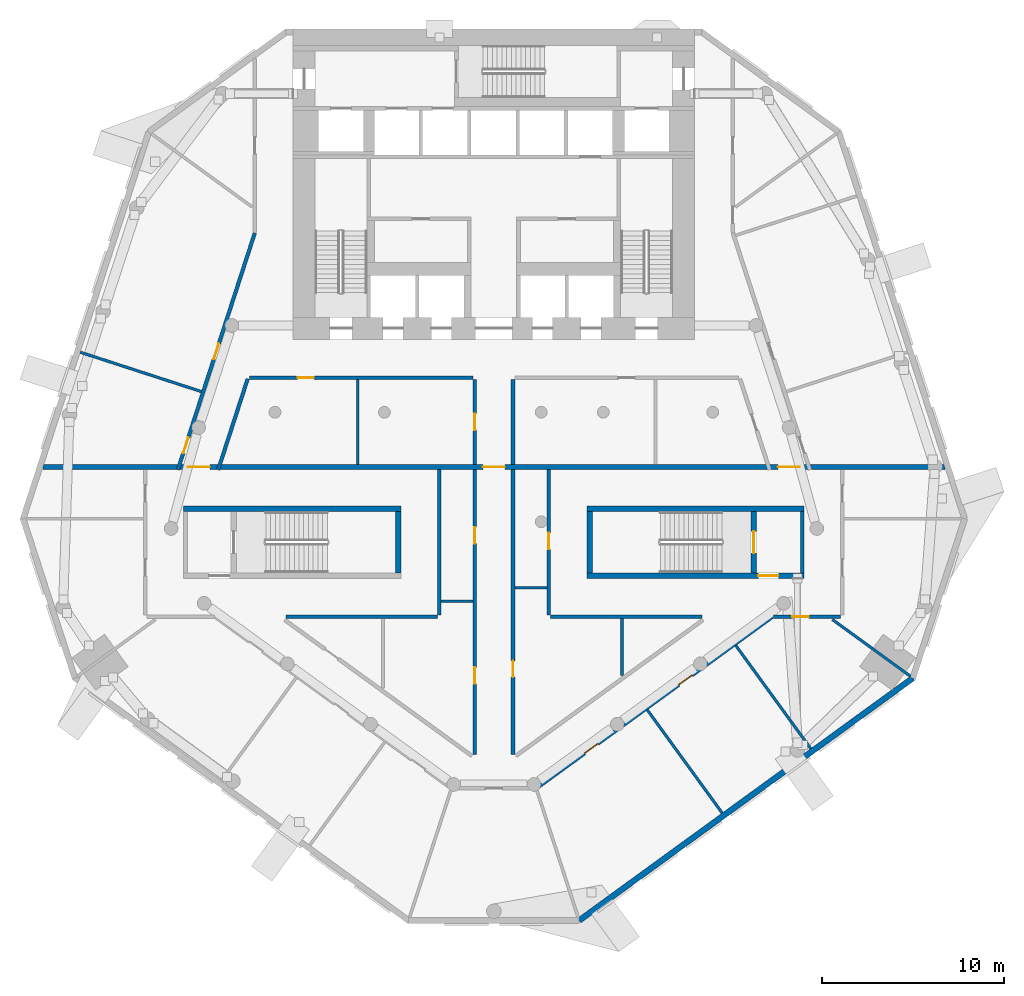
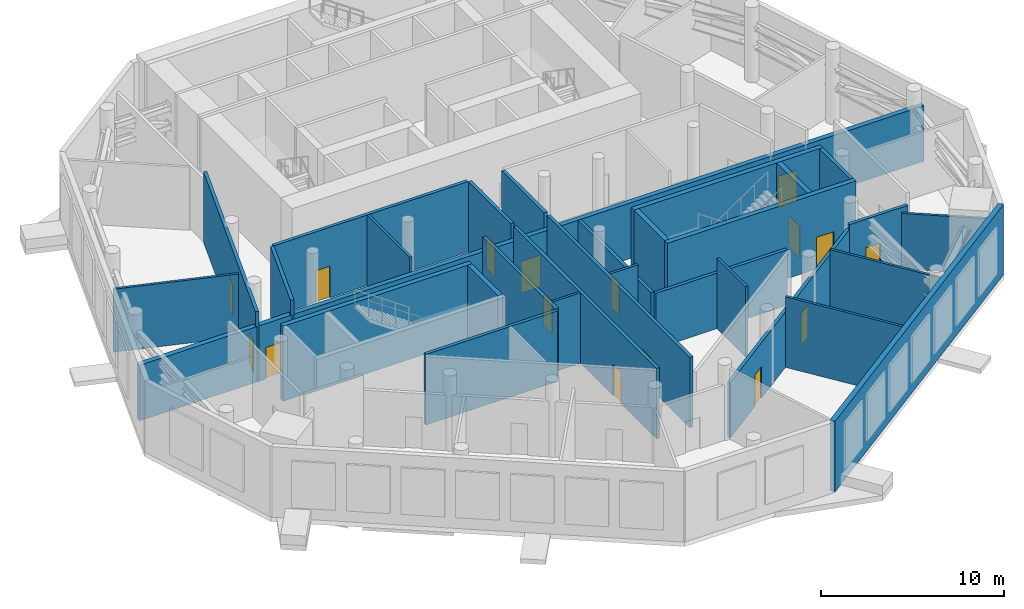
# One storey, part 7 of 15: 30 walls, 16 doors, 16 openings.
"""IFC4 building model written with IfcOpenShell, lengths in metres."""

from ifc_helpers import new_model, si_unit, direction, frame, frame_2d, origin, place, context, subcontext, project, spatial, rectangle, extrude, material, layer, layer_set, type_object, element, fill, save


model = new_model("IFC4")

# Units and contexts
model_context = context("Model", 3, precision=1e-05, world=origin(), true_north=direction((0.0, 1.0)))
body_context = subcontext(model_context, "Body", "Model", "MODEL_VIEW")
ifc_project = project(units=[si_unit("LENGTHUNIT", "METRE"), si_unit("AREAUNIT", "SQUARE_METRE"), si_unit("VOLUMEUNIT", "CUBIC_METRE"), si_unit("PLANEANGLEUNIT", "RADIAN"), si_unit("MASSUNIT", "GRAM", prefix="KILO")], contexts=[model_context])

# Site, building, storey
site_placement = place(None, origin())
site = spatial("IfcSite", under=ifc_project, at=site_placement, CompositionType="ELEMENT")
building_placement = place(site_placement, origin())
building = spatial("IfcBuilding", under=site, at=building_placement, Name="White Candle Pilgrim Tower", CompositionType="ELEMENT")
storey_placement = place(building_placement, frame((0.0, 0.0, 85.800048828125)))
storey = spatial("IfcBuildingStorey", under=building, at=storey_placement, Name="L18", CompositionType="ELEMENT", Elevation=85.800048828125)

# Wall
ifc_material_1 = material(Name="Concrete C70/85", Category="concrete")
ifc_layer_1 = layer(ifc_material_1, 0.199951171875)
ifc_layer_set_1 = layer_set([ifc_layer_1], Name="Core wall 200 mm Concrete C70/85")
wall_type_1 = type_object("IfcWallType", Name="Core wall 200 mm Concrete C70/85", PredefinedType="SHEAR", material=ifc_layer_set_1)
wall_1_placement = place(storey_placement, frame((86.89990234375, 58.199951171875, 0.0), z_axis=(0.0, 0.0, 1.0), x_axis=(0.0, 1.0, 0.0)))
element("IfcWall", 1, at=wall_1_placement, inside=storey, type_object=wall_type_1, Name="WL-L18-C08", PredefinedType="SHEAR", context=body_context, shape_type="SweptSolid", body=[
    extrude(rectangle(XDim=3.35009765625, YDim=0.199951171875, at=frame_2d((1.675048828125, 0.0))), origin(), (0.0, 0.0, 1.0), 5.0),
])

# Wall, openings, doors
ifc_material_2 = material(Name="Gypsum board on steel studs", Category="steel")
ifc_layer_2 = layer(ifc_material_2, 0.199951171875)
ifc_layer_set_2 = layer_set([ifc_layer_2], Name="Corridor wall 200 mm EI 45")
wall_type_2 = type_object("IfcWallType", Name="Corridor wall 200 mm EI 45", PredefinedType="PARTITIONING", material=ifc_layer_set_2)
wall_2_placement = place(storey_placement, frame((52.681396484375, 63.85009765625, 0.0), z_axis=(0.0, 0.0, 1.0), x_axis=(0.309020889227, 0.951055250772, 0.0)))
wall_2 = element("IfcWall", 2, at=wall_2_placement, inside=storey, type_object=wall_type_2, Name="WL-L18-P002", PredefinedType="PARTITIONING", context=body_context, shape_type="SweptSolid", body=[
    extrude(rectangle(XDim=13.635498046875, YDim=0.199951171875, at=frame_2d((6.81787109375, 0.0))), origin(), (0.0, 0.0, 1.0), 4.699951171875),
])
opening_1_placement = place(wall_2_placement, frame((0.951171875, 0.0, 0.0)))
opening_1 = element("IfcOpeningElement", 3, at=opening_1_placement, cuts=wall_2, Name="Opening L18-119", PredefinedType="OPENING", context=body_context, shape_type="SweptSolid", body=[
    extrude(rectangle(XDim=0.89990234375, YDim=2.10009765625, at=frame_2d((0.449951171875, 1.050048828125))), frame((0.0, 0.10986328125, 0.0), z_axis=(0.0, -1.0, 0.0), x_axis=(1.0, 0.0, 0.0)), (0.0, 0.0, 1.0), 0.219970703125),
])
opening_2_placement = place(wall_2_placement, frame((6.367919921875, 0.0, 0.0)))
opening_2 = element("IfcOpeningElement", 4, at=opening_2_placement, cuts=wall_2, Name="Opening L18-120", PredefinedType="OPENING", context=body_context, shape_type="SweptSolid", body=[
    extrude(rectangle(XDim=0.89990234375, YDim=2.10009765625, at=frame_2d((0.449951171875, 1.050048828125))), frame((0.0, 0.10986328125, 0.0), z_axis=(0.0, -1.0, 0.0), x_axis=(1.0, 0.0, 0.0)), (0.0, 0.0, 1.0), 0.219970703125),
])
ifc_material_3 = material(Name="Steel door leaf", Category="steel")
door_type_1 = type_object("IfcDoorType", Name="Fire door 900 x 2100 EI 30", OperationType="NOTDEFINED", PredefinedType="DOOR", material=ifc_material_3)
door_1_placement = place(opening_1_placement, origin())
door_1 = element("IfcDoor", 5, at=door_1_placement, inside=storey, type_object=door_type_1, Name="Door L18-119", OperationType="SINGLE_SWING_LEFT", OverallHeight=2.10009765625, OverallWidth=0.89990234375, PredefinedType="DOOR", context=body_context, shape_type="SweptSolid", body=[
    extrude(rectangle(XDim=0.89990234375, YDim=2.10009765625, at=frame_2d((0.449951171875, 1.050048828125))), frame((0.0, 0.02490234375, 0.0), z_axis=(0.0, -1.0, 0.0), x_axis=(1.0, 0.0, 0.0)), (0.0, 0.0, 1.0), 0.050048828125),
])
fill(opening_1, door_1)
door_2_placement = place(opening_2_placement, origin())
door_2 = element("IfcDoor", 6, at=door_2_placement, inside=storey, type_object=door_type_1, Name="Door L18-120", OperationType="SINGLE_SWING_RIGHT", OverallHeight=2.10009765625, OverallWidth=0.89990234375, PredefinedType="DOOR", context=body_context, shape_type="SweptSolid", body=[
    extrude(rectangle(XDim=0.89990234375, YDim=2.10009765625, at=frame_2d((0.449951171875, 1.050048828125))), frame((0.0, 0.02490234375, 0.0), z_axis=(0.0, -1.0, 0.0), x_axis=(1.0, 0.0, 0.0)), (0.0, 0.0, 1.0), 0.050048828125),
])
fill(opening_2, door_2)

# Wall, opening, door
wall_3_placement = place(storey_placement, frame((89.0, 55.800048828125, 0.0), z_axis=(0.0, 0.0, 1.0), x_axis=(-1.0, 0.0, 0.0)))
wall_3 = element("IfcWall", 7, at=wall_3_placement, inside=storey, type_object=wall_type_2, Name="WL-L18-P007", PredefinedType="PARTITIONING", context=body_context, shape_type="SweptSolid", body=[
    extrude(rectangle(XDim=3.684326171875, YDim=0.199951171875, at=frame_2d((1.84228515625, 0.0))), origin(), (0.0, 0.0, 1.0), 4.0),
])
opening_3_placement = place(wall_3_placement, frame((1.741455078125, 0.0, 0.0)))
opening_3 = element("IfcOpeningElement", 8, at=opening_3_placement, cuts=wall_3, Name="Opening L18-108", PredefinedType="OPENING", context=body_context, shape_type="SweptSolid", body=[
    extrude(rectangle(XDim=0.89990234375, YDim=2.10009765625, at=frame_2d((0.449951171875, 1.050048828125))), frame((0.0, 0.10986328125, 0.0), z_axis=(0.0, -1.0, 0.0), x_axis=(1.0, 0.0, 0.0)), (0.0, 0.0, 1.0), 0.219970703125),
])
door_3_placement = place(opening_3_placement, origin())
door_3 = element("IfcDoor", 9, at=door_3_placement, inside=storey, type_object=door_type_1, Name="Door L18-108", OperationType="SINGLE_SWING_RIGHT", OverallHeight=2.10009765625, OverallWidth=0.89990234375, PredefinedType="DOOR", context=body_context, shape_type="SweptSolid", body=[
    extrude(rectangle(XDim=0.89990234375, YDim=2.10009765625, at=frame_2d((0.449951171875, 1.050048828125))), frame((0.0, 0.02490234375, 0.0), z_axis=(0.0, -1.0, 0.0), x_axis=(1.0, 0.0, 0.0)), (0.0, 0.0, 1.0), 0.050048828125),
])
fill(opening_3, door_3)

# Wall, openings, doors
wall_4_placement = place(storey_placement, frame((85.2568359375, 55.781005859375, 0.0), z_axis=(0.0, 0.0, 1.0), x_axis=(-0.809010618519, -0.587794027805, 0.0)))
wall_4 = element("IfcWall", 10, at=wall_4_placement, inside=storey, type_object=wall_type_2, Name="WL-L18-P008", PredefinedType="PARTITIONING", context=body_context, shape_type="SweptSolid", body=[
    extrude(rectangle(XDim=15.9541015625, YDim=0.199951171875, at=frame_2d((7.97705078125, 0.0))), origin(), (0.0, 0.0, 1.0), 3.699951171875),
])
opening_4_placement = place(wall_4_placement, frame((11.810302734375, 0.0, 0.0)))
opening_4 = element("IfcOpeningElement", 11, at=opening_4_placement, cuts=wall_4, Name="Opening L18-106", PredefinedType="OPENING", context=body_context, shape_type="SweptSolid", body=[
    extrude(rectangle(XDim=0.89990234375, YDim=2.10009765625, at=frame_2d((0.449951171875, 1.050048828125))), frame((0.0, 0.10986328125, 0.0), z_axis=(0.0, -1.0, 0.0), x_axis=(1.0, 0.0, 0.0)), (0.0, 0.0, 1.0), 0.219970703125),
])
opening_5_placement = place(wall_4_placement, frame((5.434326171875, 0.0, 0.0)))
opening_5 = element("IfcOpeningElement", 12, at=opening_5_placement, cuts=wall_4, Name="Opening L18-107", PredefinedType="OPENING", context=body_context, shape_type="SweptSolid", body=[
    extrude(rectangle(XDim=0.89990234375, YDim=2.10009765625, at=frame_2d((0.449951171875, 1.050048828125))), frame((0.0, 0.10986328125, 0.0), z_axis=(0.0, -1.0, 0.0), x_axis=(1.0, 0.0, 0.0)), (0.0, 0.0, 1.0), 0.219970703125),
])
door_4_placement = place(opening_4_placement, origin())
door_4 = element("IfcDoor", 13, at=door_4_placement, inside=storey, type_object=door_type_1, Name="Door L18-106", OperationType="SINGLE_SWING_RIGHT", OverallHeight=2.10009765625, OverallWidth=0.89990234375, PredefinedType="DOOR", context=body_context, shape_type="SweptSolid", body=[
    extrude(rectangle(XDim=0.89990234375, YDim=2.10009765625, at=frame_2d((0.449951171875, 1.050048828125))), frame((0.0, 0.02490234375, 0.0), z_axis=(0.0, -1.0, 0.0), x_axis=(1.0, 0.0, 0.0)), (0.0, 0.0, 1.0), 0.050048828125),
])
fill(opening_4, door_4)
door_5_placement = place(opening_5_placement, origin())
door_5 = element("IfcDoor", 14, at=door_5_placement, inside=storey, type_object=door_type_1, Name="Door L18-107", OperationType="SINGLE_SWING_LEFT", OverallHeight=2.10009765625, OverallWidth=0.89990234375, PredefinedType="DOOR", context=body_context, shape_type="SweptSolid", body=[
    extrude(rectangle(XDim=0.89990234375, YDim=2.10009765625, at=frame_2d((0.449951171875, 1.050048828125))), frame((0.0, 0.02490234375, 0.0), z_axis=(0.0, -1.0, 0.0), x_axis=(1.0, 0.0, 0.0)), (0.0, 0.0, 1.0), 0.050048828125),
])
fill(opening_5, door_5)

# Wall
wall_5_placement = place(storey_placement, frame((71.050048828125, 68.800048828125, 0.0), z_axis=(0.0, 0.0, 1.0), x_axis=(0.0, -1.0, 0.0)))
element("IfcWall", 15, at=wall_5_placement, inside=storey, type_object=wall_type_2, Name="WL-L18-P015", PredefinedType="PARTITIONING", context=body_context, shape_type="SweptSolid", body=[
    extrude(rectangle(XDim=4.650146484375, YDim=0.199951171875, at=frame_2d((2.3251953125, 0.0))), origin(), (0.0, 0.0, 1.0), 4.699951171875),
])

# Wall, opening, door
wall_6_placement = place(storey_placement, frame((71.050048828125, 63.85009765625, 0.0), z_axis=(0.0, 0.0, 1.0), x_axis=(0.0, -1.0, 0.0)))
wall_6 = element("IfcWall", 16, at=wall_6_placement, inside=storey, type_object=wall_type_2, Name="WL-L18-P016", PredefinedType="PARTITIONING", context=body_context, shape_type="SweptSolid", body=[
    extrude(rectangle(XDim=15.59912109375, YDim=0.199951171875, at=frame_2d((7.799560546875, 0.0))), origin(), (0.0, 0.0, 1.0), 4.699951171875),
])
opening_6_placement = place(wall_6_placement, frame((10.46923828125, 0.0, 0.0)))
opening_6 = element("IfcOpeningElement", 17, at=opening_6_placement, cuts=wall_6, Name="Opening L18-116", PredefinedType="OPENING", context=body_context, shape_type="SweptSolid", body=[
    extrude(rectangle(XDim=0.89990234375, YDim=2.10009765625, at=frame_2d((0.449951171875, 1.050048828125))), frame((0.0, 0.10986328125, 0.0), z_axis=(0.0, -1.0, 0.0), x_axis=(1.0, 0.0, 0.0)), (0.0, 0.0, 1.0), 0.219970703125),
])
door_6_placement = place(opening_6_placement, origin())
door_6 = element("IfcDoor", 18, at=door_6_placement, inside=storey, type_object=door_type_1, Name="Door L18-116", OperationType="SINGLE_SWING_RIGHT", OverallHeight=2.10009765625, OverallWidth=0.89990234375, PredefinedType="DOOR", context=body_context, shape_type="SweptSolid", body=[
    extrude(rectangle(XDim=0.89990234375, YDim=2.10009765625, at=frame_2d((0.449951171875, 1.050048828125))), frame((0.0, 0.02490234375, 0.0), z_axis=(0.0, -1.0, 0.0), x_axis=(1.0, 0.0, 0.0)), (0.0, 0.0, 1.0), 0.050048828125),
])
fill(opening_6, door_6)

# Wall
wall_7_placement = place(storey_placement, frame((81.402587890625, 55.800048828125, 0.0), z_axis=(0.0, 0.0, 1.0), x_axis=(-1.0, 0.0, 0.0)))
element("IfcWall", 19, at=wall_7_placement, inside=storey, type_object=wall_type_2, Name="WL-L18-P018", PredefinedType="PARTITIONING", context=body_context, shape_type="SweptSolid", body=[
    extrude(rectangle(XDim=8.302490234375, YDim=0.199951171875, at=frame_2d((4.1513671875, 0.0))), origin(), (0.0, 0.0, 1.0), 3.699951171875),
])

# Wall, opening, door
wall_8_placement = place(storey_placement, frame((73.0, 55.89990234375, 0.0), z_axis=(0.0, 0.0, 1.0), x_axis=(0.0, 1.0, 0.0)))
wall_8 = element("IfcWall", 20, at=wall_8_placement, inside=storey, type_object=wall_type_2, Name="WL-L18-P019", PredefinedType="PARTITIONING", context=body_context, shape_type="SweptSolid", body=[
    extrude(rectangle(XDim=7.9501953125, YDim=0.199951171875, at=frame_2d((3.97509765625, 0.0))), origin(), (0.0, 0.0, 1.0), 3.699951171875),
])
opening_7_placement = place(wall_8_placement, frame((3.588623046875, 0.0, 0.0)))
opening_7 = element("IfcOpeningElement", 21, at=opening_7_placement, cuts=wall_8, Name="Opening L18-117", PredefinedType="OPENING", context=body_context, shape_type="SweptSolid", body=[
    extrude(rectangle(XDim=0.89990234375, YDim=2.10009765625, at=frame_2d((0.449951171875, 1.050048828125))), frame((0.0, 0.10986328125, 0.0), z_axis=(0.0, -1.0, 0.0), x_axis=(1.0, 0.0, 0.0)), (0.0, 0.0, 1.0), 0.219970703125),
])
door_7_placement = place(opening_7_placement, origin())
door_7 = element("IfcDoor", 22, at=door_7_placement, inside=storey, type_object=door_type_1, Name="Door L18-117", OperationType="SINGLE_SWING_LEFT", OverallHeight=2.10009765625, OverallWidth=0.89990234375, PredefinedType="DOOR", context=body_context, shape_type="SweptSolid", body=[
    extrude(rectangle(XDim=0.89990234375, YDim=2.10009765625, at=frame_2d((0.449951171875, 1.050048828125))), frame((0.0, 0.02490234375, 0.0), z_axis=(0.0, -1.0, 0.0), x_axis=(1.0, 0.0, 0.0)), (0.0, 0.0, 1.0), 0.050048828125),
])
fill(opening_7, door_7)

# Wall, openings, doors
wall_9_placement = place(storey_placement, frame((68.949951171875, 48.2509765625, 0.0), z_axis=(0.0, 0.0, 1.0), x_axis=(0.0, 1.0, 0.0)))
wall_9 = element("IfcWall", 23, at=wall_9_placement, inside=storey, type_object=wall_type_2, Name="WL-L18-P020", PredefinedType="PARTITIONING", context=body_context, shape_type="SweptSolid", body=[
    extrude(rectangle(XDim=15.59912109375, YDim=0.199951171875, at=frame_2d((7.799560546875, 0.0))), origin(), (0.0, 0.0, 1.0), 4.699951171875),
])
opening_8_placement = place(wall_9_placement, frame((3.864501953125, 0.0, 0.0)))
opening_8 = element("IfcOpeningElement", 24, at=opening_8_placement, cuts=wall_9, Name="Opening L18-114", PredefinedType="OPENING", context=body_context, shape_type="SweptSolid", body=[
    extrude(rectangle(XDim=0.89990234375, YDim=2.10009765625, at=frame_2d((0.449951171875, 1.050048828125))), frame((0.0, 0.10986328125, 0.0), z_axis=(0.0, -1.0, 0.0), x_axis=(1.0, 0.0, 0.0)), (0.0, 0.0, 1.0), 0.219970703125),
])
opening_9_placement = place(wall_9_placement, frame((11.54736328125, 0.0, 0.0)))
opening_9 = element("IfcOpeningElement", 25, at=opening_9_placement, cuts=wall_9, Name="Opening L18-115", PredefinedType="OPENING", context=body_context, shape_type="SweptSolid", body=[
    extrude(rectangle(XDim=0.89990234375, YDim=2.10009765625, at=frame_2d((0.449951171875, 1.050048828125))), frame((0.0, 0.10986328125, 0.0), z_axis=(0.0, -1.0, 0.0), x_axis=(1.0, 0.0, 0.0)), (0.0, 0.0, 1.0), 0.219970703125),
])
door_8_placement = place(opening_8_placement, origin())
door_8 = element("IfcDoor", 26, at=door_8_placement, inside=storey, type_object=door_type_1, Name="Door L18-114", OperationType="SINGLE_SWING_RIGHT", OverallHeight=2.10009765625, OverallWidth=0.89990234375, PredefinedType="DOOR", context=body_context, shape_type="SweptSolid", body=[
    extrude(rectangle(XDim=0.89990234375, YDim=2.10009765625, at=frame_2d((0.449951171875, 1.050048828125))), frame((0.0, 0.02490234375, 0.0), z_axis=(0.0, -1.0, 0.0), x_axis=(1.0, 0.0, 0.0)), (0.0, 0.0, 1.0), 0.050048828125),
])
fill(opening_8, door_8)
door_9_placement = place(opening_9_placement, origin())
door_9 = element("IfcDoor", 27, at=door_9_placement, inside=storey, type_object=door_type_1, Name="Door L18-115", OperationType="SINGLE_SWING_LEFT", OverallHeight=2.10009765625, OverallWidth=0.89990234375, PredefinedType="DOOR", context=body_context, shape_type="SweptSolid", body=[
    extrude(rectangle(XDim=0.89990234375, YDim=2.10009765625, at=frame_2d((0.449951171875, 1.050048828125))), frame((0.0, 0.02490234375, 0.0), z_axis=(0.0, -1.0, 0.0), x_axis=(1.0, 0.0, 0.0)), (0.0, 0.0, 1.0), 0.050048828125),
])
fill(opening_9, door_9)

# Wall, opening, door
wall_10_placement = place(storey_placement, frame((68.949951171875, 64.14990234375, 0.0), z_axis=(0.0, 0.0, 1.0), x_axis=(0.0, 1.0, 0.0)))
wall_10 = element("IfcWall", 28, at=wall_10_placement, inside=storey, type_object=wall_type_2, Name="WL-L18-P021", PredefinedType="PARTITIONING", context=body_context, shape_type="SweptSolid", body=[
    extrude(rectangle(XDim=4.650146484375, YDim=0.199951171875, at=frame_2d((2.3251953125, 0.0))), origin(), (0.0, 0.0, 1.0), 4.699951171875),
])
opening_10_placement = place(wall_10_placement, frame((1.875, 0.0, 0.0)))
opening_10 = element("IfcOpeningElement", 29, at=opening_10_placement, cuts=wall_10, Name="Opening L18-129", PredefinedType="OPENING", context=body_context, shape_type="SweptSolid", body=[
    extrude(rectangle(XDim=0.89990234375, YDim=2.10009765625, at=frame_2d((0.449951171875, 1.050048828125))), frame((0.0, 0.10986328125, 0.0), z_axis=(0.0, -1.0, 0.0), x_axis=(1.0, 0.0, 0.0)), (0.0, 0.0, 1.0), 0.219970703125),
])
door_10_placement = place(opening_10_placement, origin())
door_10 = element("IfcDoor", 30, at=door_10_placement, inside=storey, type_object=door_type_1, Name="Door L18-129", OperationType="SINGLE_SWING_LEFT", OverallHeight=2.10009765625, OverallWidth=0.89990234375, PredefinedType="DOOR", context=body_context, shape_type="SweptSolid", body=[
    extrude(rectangle(XDim=0.89990234375, YDim=2.10009765625, at=frame_2d((0.449951171875, 1.050048828125))), frame((0.0, 0.02490234375, 0.0), z_axis=(0.0, -1.0, 0.0), x_axis=(1.0, 0.0, 0.0)), (0.0, 0.0, 1.0), 0.050048828125),
])
fill(opening_10, door_10)

wall_11_placement = place(storey_placement, frame((68.85009765625, 68.89990234375, 0.0), z_axis=(0.0, 0.0, 1.0), x_axis=(-1.0, 0.0, 0.0)))
wall_11 = element("IfcWall", 31, at=wall_11_placement, inside=storey, type_object=wall_type_2, Name="WL-L18-P022", PredefinedType="PARTITIONING", context=body_context, shape_type="SweptSolid", body=[
    extrude(rectangle(XDim=12.2470703125, YDim=0.199951171875, at=frame_2d((6.12353515625, 0.0))), origin(), (0.0, 0.0, 1.0), 4.699951171875),
])
opening_11_placement = place(wall_11_placement, frame((8.7119140625, 0.0, 0.0)))
opening_11 = element("IfcOpeningElement", 32, at=opening_11_placement, cuts=wall_11, Name="Opening L18-130", PredefinedType="OPENING", context=body_context, shape_type="SweptSolid", body=[
    extrude(rectangle(XDim=0.89990234375, YDim=2.10009765625, at=frame_2d((0.449951171875, 1.050048828125))), frame((0.0, 0.10986328125, 0.0), z_axis=(0.0, -1.0, 0.0), x_axis=(1.0, 0.0, 0.0)), (0.0, 0.0, 1.0), 0.219970703125),
])
door_11_placement = place(opening_11_placement, origin())
door_11 = element("IfcDoor", 33, at=door_11_placement, inside=storey, type_object=door_type_1, Name="Door L18-130", OperationType="SINGLE_SWING_RIGHT", OverallHeight=2.10009765625, OverallWidth=0.89990234375, PredefinedType="DOOR", context=body_context, shape_type="SweptSolid", body=[
    extrude(rectangle(XDim=0.89990234375, YDim=2.10009765625, at=frame_2d((0.449951171875, 1.050048828125))), frame((0.0, 0.02490234375, 0.0), z_axis=(0.0, -1.0, 0.0), x_axis=(1.0, 0.0, 0.0)), (0.0, 0.0, 1.0), 0.050048828125),
])
fill(opening_11, door_11)

# Walls
wall_12_placement = place(storey_placement, frame((56.508056640625, 68.830810546875, 0.0), z_axis=(0.0, 0.0, 1.0), x_axis=(-0.309030204086, -0.951052224099, 0.0)))
element("IfcWall", 34, at=wall_12_placement, inside=storey, type_object=wall_type_2, Name="WL-L18-P023", PredefinedType="PARTITIONING", context=body_context, shape_type="SweptSolid", body=[
    extrude(rectangle(XDim=5.237060546875, YDim=0.199951171875, at=frame_2d((2.61865234375, 0.0))), origin(), (0.0, 0.0, 1.0), 4.699951171875),
])
wall_13_placement = place(storey_placement, frame((67.0, 63.85009765625, 0.0), z_axis=(0.0, 0.0, 1.0), x_axis=(0.0, -1.0, 0.0)))
element("IfcWall", 35, at=wall_13_placement, inside=storey, type_object=wall_type_2, Name="WL-L18-P024", PredefinedType="PARTITIONING", context=body_context, shape_type="SweptSolid", body=[
    extrude(rectangle(XDim=7.9501953125, YDim=0.199951171875, at=frame_2d((3.97509765625, 0.0))), origin(), (0.0, 0.0, 1.0), 4.699951171875),
])
wall_14_placement = place(storey_placement, frame((66.89990234375, 55.800048828125, 0.0), z_axis=(0.0, 0.0, 1.0), x_axis=(-1.0, 0.0, 0.0)))
element("IfcWall", 36, at=wall_14_placement, inside=storey, type_object=wall_type_2, Name="WL-L18-P025", PredefinedType="PARTITIONING", context=body_context, shape_type="SweptSolid", body=[
    extrude(rectangle(XDim=8.302490234375, YDim=0.199951171875, at=frame_2d((4.1513671875, 0.0))), origin(), (0.0, 0.0, 1.0), 4.699951171875),
])
ifc_material_4 = material(Name="Precast concrete C40/50", Category="concrete")
ifc_layer_3 = layer(ifc_material_4, 0.320068359375)
ifc_layer_set_3 = layer_set([ifc_layer_3], Name="Facade wall EW2 precast concrete C40/50 plant wall behind louvres")
wall_type_3 = type_object("IfcWallType", Name="Facade wall EW2 precast concrete C40/50 plant wall behind louvres", PredefinedType="SOLIDWALL", material=ifc_layer_set_3)
wall_15_placement = place(storey_placement, frame((74.676025390625, 39.144287109375, 0.0), z_axis=(0.0, 0.0, 1.0), x_axis=(0.809018497564, 0.587783183325, 0.0)))
element("IfcWall", 37, at=wall_15_placement, inside=storey, type_object=wall_type_3, Name="Facade wall L18 SE", PredefinedType="SOLIDWALL", context=body_context, shape_type="SweptSolid", body=[
    extrude(rectangle(XDim=22.609130859375, YDim=0.320068359375, at=frame_2d((11.3046875, 0.0))), origin(), (0.0, 0.0, 1.0), 4.699951171875),
])

# Wall, openings, doors
ifc_material_5 = material(Name="Aerated concrete block", Category="concrete")
ifc_layer_4 = layer(ifc_material_5, 0.300048828125)
ifc_layer_set_4 = layer_set([ifc_layer_4], Name="Fire wall 300 mm REI 240")
wall_type_4 = type_object("IfcWallType", Name="Fire wall 300 mm REI 240", PredefinedType="PARTITIONING", material=ifc_layer_set_4)
wall_16_placement = place(storey_placement, frame((45.285888671875, 64.0, 0.0), z_axis=(0.0, 0.0, 1.0), x_axis=(1.0, 0.0, 0.0)))
wall_16 = element("IfcWall", 38, at=wall_16_placement, inside=storey, type_object=wall_type_4, Name="WL-L18-P001", PredefinedType="PARTITIONING", context=body_context, shape_type="SweptSolid", body=[
    extrude(rectangle(XDim=49.42822265625, YDim=0.300048828125, at=frame_2d((24.714111328125, 0.0))), origin(), (0.0, 0.0, 1.0), 3.699951171875),
])
opening_12_placement = place(wall_16_placement, frame((7.948486328125, 0.0, 0.0)))
opening_12 = element("IfcOpeningElement", 39, at=opening_12_placement, cuts=wall_16, Name="Opening L18-110", PredefinedType="OPENING", context=body_context, shape_type="SweptSolid", body=[
    extrude(rectangle(XDim=1.199951171875, YDim=2.10009765625, at=frame_2d((0.60009765625, 1.050048828125))), frame((0.0, 0.159912109375, 0.0), z_axis=(0.0, -1.0, 0.0), x_axis=(1.0, 0.0, 0.0)), (0.0, 0.0, 1.0), 0.320068359375),
])
opening_13_placement = place(wall_16_placement, frame((24.114013671875, 0.0, 0.0)))
opening_13 = element("IfcOpeningElement", 40, at=opening_13_placement, cuts=wall_16, Name="Opening L18-111", PredefinedType="OPENING", context=body_context, shape_type="SweptSolid", body=[
    extrude(rectangle(XDim=1.199951171875, YDim=2.10009765625, at=frame_2d((0.60009765625, 1.050048828125))), frame((0.0, 0.159912109375, 0.0), z_axis=(0.0, -1.0, 0.0), x_axis=(1.0, 0.0, 0.0)), (0.0, 0.0, 1.0), 0.320068359375),
])
opening_14_placement = place(wall_16_placement, frame((40.27978515625, 0.0, 0.0)))
opening_14 = element("IfcOpeningElement", 41, at=opening_14_placement, cuts=wall_16, Name="Opening L18-112", PredefinedType="OPENING", context=body_context, shape_type="SweptSolid", body=[
    extrude(rectangle(XDim=1.199951171875, YDim=2.10009765625, at=frame_2d((0.60009765625, 1.050048828125))), frame((0.0, 0.159912109375, 0.0), z_axis=(0.0, -1.0, 0.0), x_axis=(1.0, 0.0, 0.0)), (0.0, 0.0, 1.0), 0.320068359375),
])
door_type_2 = type_object("IfcDoorType", Name="Fire door 1200 x 2100 EI 60", OperationType="NOTDEFINED", PredefinedType="DOOR", material=ifc_material_3)
door_12_placement = place(opening_12_placement, origin())
door_12 = element("IfcDoor", 42, at=door_12_placement, inside=storey, type_object=door_type_2, Name="Door L18-110", OperationType="SINGLE_SWING_RIGHT", OverallHeight=2.10009765625, OverallWidth=1.199951171875, PredefinedType="DOOR", context=body_context, shape_type="SweptSolid", body=[
    extrude(rectangle(XDim=1.199951171875, YDim=2.10009765625, at=frame_2d((0.60009765625, 1.050048828125))), frame((0.0, 0.02490234375, 0.0), z_axis=(0.0, -1.0, 0.0), x_axis=(1.0, 0.0, 0.0)), (0.0, 0.0, 1.0), 0.050048828125),
])
fill(opening_12, door_12)
door_13_placement = place(opening_13_placement, origin())
door_13 = element("IfcDoor", 43, at=door_13_placement, inside=storey, type_object=door_type_2, Name="Door L18-111", OperationType="SINGLE_SWING_LEFT", OverallHeight=2.10009765625, OverallWidth=1.199951171875, PredefinedType="DOOR", context=body_context, shape_type="SweptSolid", body=[
    extrude(rectangle(XDim=1.199951171875, YDim=2.10009765625, at=frame_2d((0.60009765625, 1.050048828125))), frame((0.0, 0.02490234375, 0.0), z_axis=(0.0, -1.0, 0.0), x_axis=(1.0, 0.0, 0.0)), (0.0, 0.0, 1.0), 0.050048828125),
])
fill(opening_13, door_13)
door_14_placement = place(opening_14_placement, origin())
door_14 = element("IfcDoor", 44, at=door_14_placement, inside=storey, type_object=door_type_2, Name="Door L18-112", OperationType="SINGLE_SWING_RIGHT", OverallHeight=2.10009765625, OverallWidth=1.199951171875, PredefinedType="DOOR", context=body_context, shape_type="SweptSolid", body=[
    extrude(rectangle(XDim=1.199951171875, YDim=2.10009765625, at=frame_2d((0.60009765625, 1.050048828125))), frame((0.0, 0.02490234375, 0.0), z_axis=(0.0, -1.0, 0.0), x_axis=(1.0, 0.0, 0.0)), (0.0, 0.0, 1.0), 0.050048828125),
])
fill(opening_14, door_14)

# Walls
ifc_layer_5 = layer(ifc_material_2, 0.14990234375)
ifc_layer_set_5 = layer_set([ifc_layer_5], Name="Partition 150 mm EI 60")
wall_type_5 = type_object("IfcWallType", Name="Partition 150 mm EI 60", PredefinedType="PARTITIONING", material=ifc_layer_set_5)
wall_17_placement = place(storey_placement, frame((92.8310546875, 52.532470703125, 0.0), z_axis=(0.0, 0.0, 1.0), x_axis=(-0.809003648196, 0.587803621293, 0.0)))
element("IfcWall", 45, at=wall_17_placement, inside=storey, type_object=wall_type_5, Name="WL-L18-P032", PredefinedType="PARTITIONING", context=body_context, shape_type="SweptSolid", body=[
    extrude(rectangle(XDim=5.28564453125, YDim=0.14990234375, at=frame_2d((2.642822265625, 0.0))), origin(), (0.0, 0.0, 1.0), 3.699951171875),
])
wall_18_placement = place(storey_placement, frame((47.330078125, 70.291015625, 0.0), z_axis=(0.0, 0.0, 1.0), x_axis=(0.951055400562, -0.309020428229, 0.0)))
element("IfcWall", 46, at=wall_18_placement, inside=storey, type_object=wall_type_5, Name="WL-L18-P035", PredefinedType="PARTITIONING", context=body_context, shape_type="SweptSolid", body=[
    extrude(rectangle(XDim=6.97998046875, YDim=0.14990234375, at=frame_2d((3.489990234375, 0.0))), origin(), (0.0, 0.0, 1.0), 4.199951171875),
])
wall_19_placement = place(storey_placement, frame((82.513916015625, 45.03662109375, 0.0), z_axis=(0.0, 0.0, 1.0), x_axis=(-0.587763991843, 0.809032440569, 0.0)))
element("IfcWall", 47, at=wall_19_placement, inside=storey, type_object=wall_type_5, Name="WL-L18-P038", PredefinedType="PARTITIONING", context=body_context, shape_type="SweptSolid", body=[
    extrude(rectangle(XDim=6.97998046875, YDim=0.14990234375, at=frame_2d((3.489990234375, 0.0))), origin(), (0.0, 0.0, 1.0), 4.699951171875),
])
wall_20_placement = place(storey_placement, frame((87.3681640625, 48.5634765625, 0.0), z_axis=(0.0, 0.0, 1.0), x_axis=(-0.587786885163, 0.809015808023, 0.0)))
element("IfcWall", 48, at=wall_20_placement, inside=storey, type_object=wall_type_5, Name="WL-L18-P039", PredefinedType="PARTITIONING", context=body_context, shape_type="SweptSolid", body=[
    extrude(rectangle(XDim=6.97998046875, YDim=0.14990234375, at=frame_2d((3.489990234375, 0.0))), origin(), (0.0, 0.0, 1.0), 4.0),
])
wall_21_placement = place(storey_placement, frame((67.10009765625, 56.646484375, 0.0), z_axis=(0.0, 0.0, 1.0), x_axis=(1.0, 0.0, 0.0)))
element("IfcWall", 49, at=wall_21_placement, inside=storey, type_object=wall_type_5, Name="WL-L18-P043", PredefinedType="PARTITIONING", context=body_context, shape_type="SweptSolid", body=[
    extrude(rectangle(XDim=1.75, YDim=0.14990234375, at=frame_2d((0.875, 0.0))), origin(), (0.0, 0.0, 1.0), 4.699951171875),
])
wall_22_placement = place(storey_placement, frame((62.54248046875, 64.14990234375, 0.0), z_axis=(0.0, 0.0, 1.0), x_axis=(0.0, 1.0, 0.0)))
element("IfcWall", 50, at=wall_22_placement, inside=storey, type_object=wall_type_5, Name="WL-L18-P044", PredefinedType="PARTITIONING", context=body_context, shape_type="SweptSolid", body=[
    extrude(rectangle(XDim=4.650146484375, YDim=0.14990234375, at=frame_2d((2.3251953125, 0.0))), origin(), (0.0, 0.0, 1.0), 4.699951171875),
])
wall_23_placement = place(storey_placement, frame((77.023681640625, 52.572998046875, 0.0), z_axis=(0.0, 0.0, 1.0), x_axis=(0.0, 1.0, 0.0)))
element("IfcWall", 51, at=wall_23_placement, inside=storey, type_object=wall_type_5, Name="WL-L18-P045", PredefinedType="PARTITIONING", context=body_context, shape_type="SweptSolid", body=[
    extrude(rectangle(XDim=3.126953125, YDim=0.14990234375, at=frame_2d((1.5634765625, 0.0))), origin(), (0.0, 0.0, 1.0), 4.699951171875),
])
wall_24_placement = place(storey_placement, frame((71.14990234375, 57.377197265625, 0.0), z_axis=(0.0, 0.0, 1.0), x_axis=(1.0, 0.0, 0.0)))
element("IfcWall", 52, at=wall_24_placement, inside=storey, type_object=wall_type_5, Name="WL-L18-P046", PredefinedType="PARTITIONING", context=body_context, shape_type="SweptSolid", body=[
    extrude(rectangle(XDim=1.75, YDim=0.14990234375, at=frame_2d((0.875, 0.0))), origin(), (0.0, 0.0, 1.0), 4.699951171875),
])

# Wall, opening, door
ifc_layer_6 = layer(ifc_material_1, 0.300048828125)
ifc_layer_set_6 = layer_set([ifc_layer_6], Name="Stair shaft wall 300 mm Concrete C70/85")
wall_type_6 = type_object("IfcWallType", Name="Stair shaft wall 300 mm Concrete C70/85", PredefinedType="SHEAR", material=ifc_layer_set_6)
wall_25_placement = place(storey_placement, frame((75.10009765625, 58.050048828125, 0.0), z_axis=(0.0, 0.0, 1.0), x_axis=(1.0, 0.0, 0.0)))
wall_25 = element("IfcWall", 53, at=wall_25_placement, inside=storey, type_object=wall_type_6, Name="WL-L18-C02", PredefinedType="SHEAR", context=body_context, shape_type="SweptSolid", body=[
    extrude(rectangle(XDim=11.89990234375, YDim=0.300048828125, at=frame_2d((5.949951171875, 0.0))), origin(), (0.0, 0.0, 1.0), 5.0),
])
opening_15_placement = place(wall_25_placement, frame((9.39990234375, 0.0, 0.0)))
opening_15 = element("IfcOpeningElement", 54, at=opening_15_placement, cuts=wall_25, Name="Opening L18-009", PredefinedType="OPENING", context=body_context, shape_type="SweptSolid", body=[
    extrude(rectangle(XDim=1.10009765625, YDim=2.10009765625, at=frame_2d((0.550048828125, 1.050048828125))), frame((0.0, 0.159912109375, 0.0), z_axis=(0.0, -1.0, 0.0), x_axis=(1.0, 0.0, 0.0)), (0.0, 0.0, 1.0), 0.320068359375),
])
door_type_3 = type_object("IfcDoorType", Name="Fire door 1100 x 2100 EI 60", OperationType="NOTDEFINED", PredefinedType="DOOR", material=ifc_material_3)
door_15_placement = place(opening_15_placement, origin())
door_15 = element("IfcDoor", 55, at=door_15_placement, inside=storey, type_object=door_type_3, Name="Door L18-009", OperationType="SINGLE_SWING_LEFT", OverallHeight=2.10009765625, OverallWidth=1.10009765625, PredefinedType="DOOR", context=body_context, shape_type="SweptSolid", body=[
    extrude(rectangle(XDim=1.10009765625, YDim=2.10009765625, at=frame_2d((0.550048828125, 1.050048828125))), frame((0.0, 0.02490234375, 0.0), z_axis=(0.0, -1.0, 0.0), x_axis=(1.0, 0.0, 0.0)), (0.0, 0.0, 1.0), 0.050048828125),
])
fill(opening_15, door_15)

# Walls
for number, where, z_axis, x_axis, name in (
    (56, (64.75, 58.199951171875, 0.0), (0.0, 0.0, 1.0), (0.0, 1.0, 0.0), "WL-L18-C05"),
    (57, (75.25, 58.199951171875, 0.0), (0.0, 0.0, 1.0), (0.0, 1.0, 0.0), "WL-L18-C06"),
):
    element("IfcWall", number, at=place(storey_placement, frame(where, z_axis=z_axis, x_axis=x_axis)), inside=storey, type_object=wall_type_6, Name=name, PredefinedType="SHEAR", context=body_context, shape_type="SweptSolid", body=[
        extrude(rectangle(XDim=3.35009765625, YDim=0.300048828125, at=frame_2d((1.675048828125, 0.0))), origin(), (0.0, 0.0, 1.0), 5.0),
    ])

# Wall, opening, door
wall_26_placement = place(storey_placement, frame((84.25, 58.199951171875, 0.0), z_axis=(0.0, 0.0, 1.0), x_axis=(0.0, 1.0, 0.0)))
wall_26 = element("IfcWall", 58, at=wall_26_placement, inside=storey, type_object=wall_type_6, Name="WL-L18-C07", PredefinedType="SHEAR", context=body_context, shape_type="SweptSolid", body=[
    extrude(rectangle(XDim=3.35009765625, YDim=0.300048828125, at=frame_2d((1.675048828125, 0.0))), origin(), (0.0, 0.0, 1.0), 5.0),
])
opening_16_placement = place(wall_26_placement, frame((1.074951171875, 0.0, 0.0)))
opening_16 = element("IfcOpeningElement", 59, at=opening_16_placement, cuts=wall_26, Name="Opening L18-010", PredefinedType="OPENING", context=body_context, shape_type="SweptSolid", body=[
    extrude(rectangle(XDim=1.199951171875, YDim=2.10009765625, at=frame_2d((0.60009765625, 1.050048828125))), frame((0.0, 0.159912109375, 0.0), z_axis=(0.0, -1.0, 0.0), x_axis=(1.0, 0.0, 0.0)), (0.0, 0.0, 1.0), 0.320068359375),
])
door_16_placement = place(opening_16_placement, origin())
door_16 = element("IfcDoor", 60, at=door_16_placement, inside=storey, type_object=door_type_2, Name="Door L18-010", OperationType="SINGLE_SWING_RIGHT", OverallHeight=2.10009765625, OverallWidth=1.199951171875, PredefinedType="DOOR", context=body_context, shape_type="SweptSolid", body=[
    extrude(rectangle(XDim=1.199951171875, YDim=2.10009765625, at=frame_2d((0.60009765625, 1.050048828125))), frame((0.0, 0.02490234375, 0.0), z_axis=(0.0, -1.0, 0.0), x_axis=(1.0, 0.0, 0.0)), (0.0, 0.0, 1.0), 0.050048828125),
])
fill(opening_16, door_16)

# Walls
for number, where, z_axis, x_axis, name in (
    (61, (53.0, 61.699951171875, 0.0), (0.0, 0.0, 1.0), (1.0, 0.0, 0.0), "WL-L18-C09"),
    (62, (75.10009765625, 61.699951171875, 0.0), (0.0, 0.0, 1.0), (1.0, 0.0, 0.0), "WL-L18-C10"),
):
    element("IfcWall", number, at=place(storey_placement, frame(where, z_axis=z_axis, x_axis=x_axis)), inside=storey, type_object=wall_type_6, Name=name, PredefinedType="SHEAR", context=body_context, shape_type="SweptSolid", body=[
        extrude(rectangle(XDim=11.89990234375, YDim=0.300048828125, at=frame_2d((5.949951171875, 0.0))), origin(), (0.0, 0.0, 1.0), 5.0),
    ])

save(model, "model.ifc")
